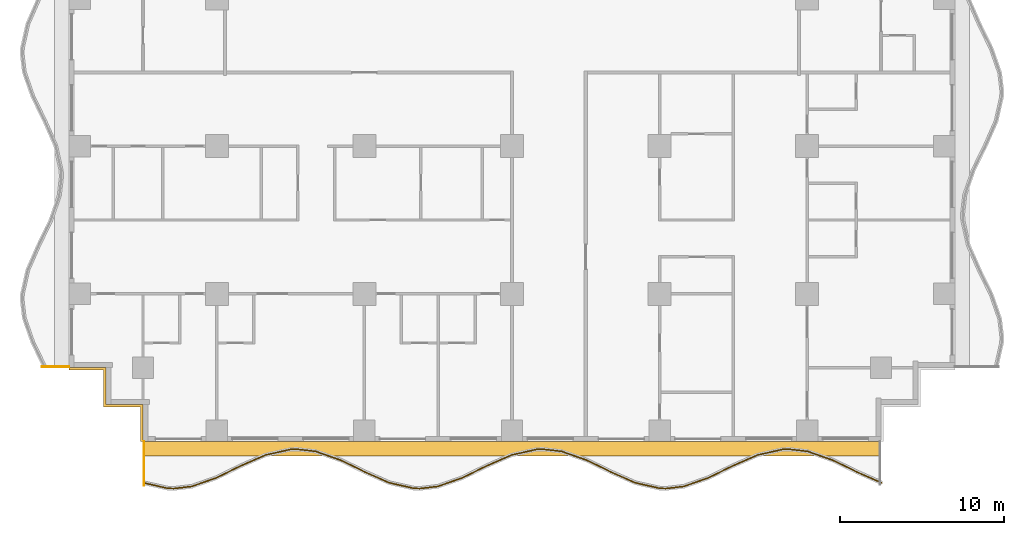
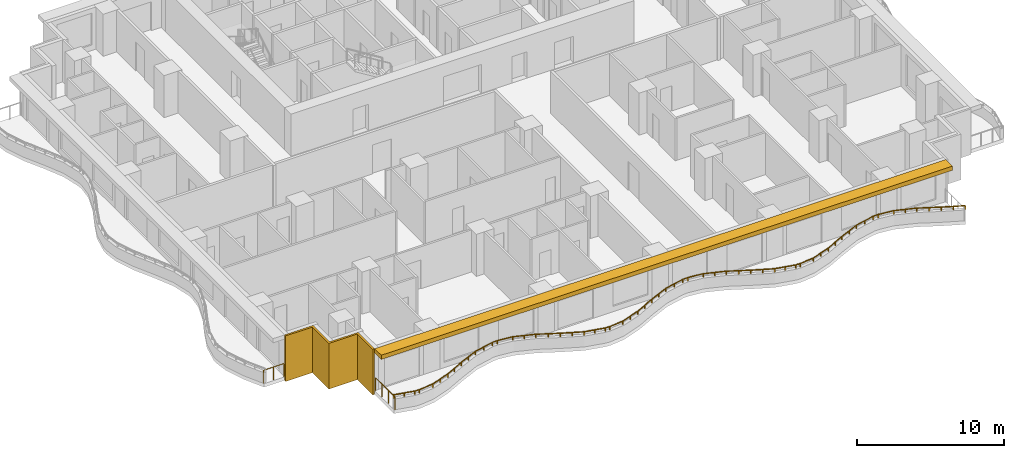
# One storey, part 8 of 14: 3 railings, 2 shading devices.
"""IFC4 building model written with IfcOpenShell, lengths in metres."""

import ifcopenshell
import ifcopenshell.guid

model = None  # the IFC model being written
_history = None  # IfcOwnerHistory: only IFC2X3 demands one
_inside = {}  # id of a spatial element -> (the spatial element, [elements in it])
_under = {}  # id of a project, library or spatial element -> (it, [spatial elements below it])
_declared = {}  # id of a project -> (the project, [libraries it declares])
_typed = {}  # id of a type object -> (the type object, [elements of that type])
_made_of = {}  # id of a material, layer set ... -> (it, [elements and type objects made of it])


def new_model(schema):
    """Start an empty IFC model of exactly this schema.

    Asked for "IFC4X3", IfcOpenShell would pick the latest addendum, in which some entities
    have other attributes; the version numbers below select the first issue.
    IFC2X3 requires an IfcOwnerHistory on every rooted entity: one is made here for all.
    """
    global model, _history
    if schema == "IFC4X3":
        model = ifcopenshell.file(schema_version=(4, 3, 0, 0))
    else:
        model = ifcopenshell.file(schema=schema)
    _inside.clear()
    _under.clear()
    _declared.clear()
    _typed.clear()
    _made_of.clear()
    _history = None
    if model.schema == "IFC2X3":
        org = make("IfcOrganization", Name="unknown")
        user = make(
            "IfcPersonAndOrganization",
            ThePerson=make("IfcPerson", FamilyName="unknown"),
            TheOrganization=org,
        )
        app = make(
            "IfcApplication",
            ApplicationDeveloper=org,
            Version="unknown",
            ApplicationFullName="unknown",
            ApplicationIdentifier="unknown",
        )
        _history = make(
            "IfcOwnerHistory",
            OwningUser=user,
            OwningApplication=app,
            ChangeAction="ADDED",
            CreationDate=0,
        )
    return model


def make(cls, **values):
    """One entity of the class cls with the attributes given. An attribute that is None is left unset."""
    return model.create_entity(
        cls, **{name: value for name, value in values.items() if value is not None}
    )


def rooted(cls, **values):
    """An entity with a GlobalId (a new one), such as an element, a storey or a relation."""
    return make(cls, GlobalId=ifcopenshell.guid.new(), OwnerHistory=_history, **values)


def si_unit(unit_type, name, prefix=None):
    """IfcSIUnit, for example si_unit("LENGTHUNIT", "METRE", prefix="MILLI")."""
    return make("IfcSIUnit", UnitType=unit_type, Prefix=prefix, Name=name)


def assignment(units):
    """IfcUnitAssignment: the units of a project."""
    return None if units is None else make("IfcUnitAssignment", Units=units)


def point(xyz):
    """IfcCartesianPoint."""
    return None if xyz is None else make("IfcCartesianPoint", Coordinates=xyz)


def direction(xyz):
    """IfcDirection."""
    return None if xyz is None else make("IfcDirection", DirectionRatios=xyz)


def frame(location, z_axis=None, x_axis=None):
    """IfcAxis2Placement3D, a coordinate frame: its origin and axes. An axis left out is left unset."""
    return make(
        "IfcAxis2Placement3D",
        Location=point(location),
        Axis=direction(z_axis),
        RefDirection=direction(x_axis),
    )


def frame_2d(location, x_axis=None):
    """IfcAxis2Placement2D, a coordinate frame in the plane: its origin and x axis."""
    return make(
        "IfcAxis2Placement2D", Location=point(location), RefDirection=direction(x_axis)
    )


def origin():
    """The frame at (0, 0, 0) with its axes left unset."""
    return frame((0.0, 0.0, 0.0))


def origin_2d():
    """The frame at (0, 0) in the plane with its x axis left unset."""
    return frame_2d((0.0, 0.0))


def place(relative_to, where):
    """IfcLocalPlacement: puts the frame where relative to a parent placement (None: the world)."""
    return make(
        "IfcLocalPlacement", PlacementRelTo=relative_to, RelativePlacement=where
    )


def context(
    kind, dimensions, precision=None, world=None, true_north=None, identifier=None
):
    """IfcGeometricRepresentationContext, for example the 3D "Model" context."""
    return make(
        "IfcGeometricRepresentationContext",
        ContextIdentifier=identifier,
        ContextType=kind,
        CoordinateSpaceDimension=dimensions,
        Precision=precision,
        WorldCoordinateSystem=world,
        TrueNorth=true_north,
    )


def subcontext(parent, identifier, kind, view, scale=None):
    """IfcGeometricRepresentationSubContext, for example "Body" below "Model"."""
    return make(
        "IfcGeometricRepresentationSubContext",
        ContextIdentifier=identifier,
        ContextType=kind,
        ParentContext=parent,
        TargetScale=scale,
        TargetView=view,
    )


def project(units=None, contexts=None):
    """IfcProject with its units and contexts."""
    return rooted(
        "IfcProject",
        Name="project",
        RepresentationContexts=contexts,
        UnitsInContext=assignment(units),
    )


def spatial(cls, under=None, at=None, **own):
    """A site, building, storey or space (cls), placed at a placement, below another one or the project."""
    s = rooted(cls, ObjectPlacement=at, **own)
    if under is not None:
        _under.setdefault(under.id(), (under, []))[1].append(s)
    return s


def polyline(points):
    """IfcPolyline through the points."""
    return make("IfcPolyline", Points=[point(p) for p in points])


def profile(cls, at=None, kind="AREA", **sizes):
    """A parametric profile (cls). Its sizes go by their IFC names, for example OverallWidth=200.0."""
    return make(cls, ProfileType=kind, Position=at, **sizes)


def rectangle(**sizes):
    """IfcRectangleProfileDef."""
    return profile("IfcRectangleProfileDef", **sizes)


def outline(outer, holes=None, kind="AREA"):
    """IfcArbitraryClosedProfileDef: a profile drawn as a closed curve; with holes, ...WithVoids."""
    if holes is None:
        return make("IfcArbitraryClosedProfileDef", ProfileType=kind, OuterCurve=outer)
    return make(
        "IfcArbitraryProfileDefWithVoids",
        ProfileType=kind,
        OuterCurve=outer,
        InnerCurves=holes,
    )


def extrude(swept, where, along, depth):
    """IfcExtrudedAreaSolid: the profile swept, set in the frame where, extruded along a direction by depth."""
    return make(
        "IfcExtrudedAreaSolid",
        SweptArea=swept,
        Position=where,
        ExtrudedDirection=direction(along),
        Depth=depth,
    )


def shape(context_of_items, identifier, shape_type, items):
    """IfcShapeRepresentation: the items that make up one representation, for example the "Body"."""
    return make(
        "IfcShapeRepresentation",
        ContextOfItems=context_of_items,
        RepresentationIdentifier=identifier,
        RepresentationType=shape_type,
        Items=items,
    )


def material(Name=None, Category=None):
    """IfcMaterial."""
    return make("IfcMaterial", Name=Name, Category=Category)


def layer(
    of_material, thickness, ventilated=None, Name=None, Category=None, Priority=None
):
    """IfcMaterialLayer: one layer of a wall or slab, of a material (None: an air gap)."""
    return make(
        "IfcMaterialLayer",
        Material=of_material,
        LayerThickness=thickness,
        IsVentilated=ventilated,
        Name=Name,
        Category=Category,
        Priority=Priority,
    )


def layer_set(layers, Name=None):
    """IfcMaterialLayerSet."""
    return make("IfcMaterialLayerSet", MaterialLayers=layers, LayerSetName=Name)


def made_of(thing, what):
    """Note that an element or type object is made of a material, layer set ...; save() writes the relation."""
    if what is not None:
        _made_of.setdefault(what.id(), (what, []))[1].append(thing)
    return thing


def type_object(cls, material=None, **own):
    """A type object (cls), such as IfcWallType, which elements share."""
    return made_of(rooted(cls, **own), material)


def element(
    cls,
    number,
    at=None,
    inside=None,
    cuts=None,
    type_object=None,
    material=None,
    context=None,
    identifier="Body",
    shape_type=None,
    held_by="IfcProductDefinitionShape",
    body=None,
    shapes=None,
    **own,
):
    """One element of the class cls, such as IfcWall. Its Tag is "e" and its number.

    at: its placement. inside: the storey or other place that contains it. cuts: it is an
    opening in that element (IfcRelVoidsElement). A single representation is given by context,
    identifier, shape_type and body (its items); several are given by shapes. held_by: the class
    of the entity that holds the representations. save() writes the other relations.
    """
    e = rooted(cls, Tag="e%d" % number, ObjectPlacement=at, **own)
    if body is not None:
        shapes = [shape(context, identifier, shape_type, body)]
    if shapes is not None:
        e.Representation = make(held_by, Representations=shapes)
    if inside is not None:
        _inside.setdefault(inside.id(), (inside, []))[1].append(e)
    if cuts is not None:
        rooted(
            "IfcRelVoidsElement", RelatingBuildingElement=cuts, RelatedOpeningElement=e
        )
    if type_object is not None:
        _typed.setdefault(type_object.id(), (type_object, []))[1].append(e)
    return made_of(e, material)


def aggregate(whole, parts):
    """IfcRelAggregates: a whole, such as a stair, and the parts it consists of."""
    return rooted("IfcRelAggregates", RelatingObject=whole, RelatedObjects=parts)


def save(model, path):
    """Write the relations noted so far, then the file.

    IfcRelAggregates (storeys below a building ...), IfcRelContainedInSpatialStructure (elements
    in a storey), IfcRelDefinesByType, IfcRelAssociatesMaterial and IfcRelDeclares: one each for
    every whole, place, type object, material and project.
    """
    for whole, parts in _under.values():
        aggregate(whole, parts)
    for where, things in _inside.values():
        rooted(
            "IfcRelContainedInSpatialStructure",
            RelatedElements=things,
            RelatingStructure=where,
        )
    for kind, things in _typed.values():
        rooted("IfcRelDefinesByType", RelatedObjects=things, RelatingType=kind)
    for what, things in _made_of.values():
        rooted("IfcRelAssociatesMaterial", RelatedObjects=things, RelatingMaterial=what)
    for by, libraries in _declared.values():
        rooted("IfcRelDeclares", RelatingContext=by, RelatedDefinitions=libraries)
    model.write(path)


model = new_model("IFC4")

# Units and contexts
model_context = context("Model", 3, precision=1e-05, world=origin(), true_north=direction((0.0, 1.0)))
body_context = subcontext(model_context, "Body", "Model", "MODEL_VIEW")
ifc_project = project(units=[si_unit("LENGTHUNIT", "METRE"), si_unit("AREAUNIT", "SQUARE_METRE"), si_unit("VOLUMEUNIT", "CUBIC_METRE"), si_unit("PLANEANGLEUNIT", "RADIAN"), si_unit("MASSUNIT", "GRAM", prefix="KILO")], contexts=[model_context])

# Site, building, storey
site_placement = place(None, origin())
site = spatial("IfcSite", under=ifc_project, at=site_placement, CompositionType="ELEMENT")
building_placement = place(site_placement, origin())
building = spatial("IfcBuilding", under=site, at=building_placement, Name="Orbiselva Terraces", CompositionType="ELEMENT")
storey_placement = place(building_placement, frame((0.0, 0.0, 80.8)))
storey = spatial("IfcBuildingStorey", under=building, at=storey_placement, Name="L20", CompositionType="ELEMENT", Elevation=80.8)

# Railings
ifc_material_1 = material(Name="Bonded two-ply safety glass balustrade, stainless steel posts", Category="steel")
railing_type_1 = type_object("IfcRailingType", Name="ENV-BALUSTRADE-1200", PredefinedType="BALUSTRADE", material=ifc_material_1)
railing_1_placement = place(storey_placement, frame((-22.472623, -25.026563, 0.9)))
element("IfcRailing", 1, at=railing_1_placement, inside=storey, type_object=railing_type_1, Name="Balcony balustrade L20 S", PredefinedType="BALUSTRADE", context=body_context, shape_type="SweptSolid", body=[
    extrude(outline(polyline([(0.028868, 0.0), (0.014434, 0.025), (-0.014434, 0.025), (-0.028868, 0.0), (-0.014434, -0.025), (0.014434, -0.025), (0.028868, 0.0)])), frame((0.0, 0.0, 0.275), z_axis=(0.975721322437, -0.21901575501, 0.0), x_axis=(0.21901575501, 0.975721322437, 0.0)), (0.0, 0.0, 1.0), 1.525954),
    extrude(outline(polyline([(0.028868, 0.0), (0.014434, 0.025), (-0.014434, 0.025), (-0.028868, 0.0), (-0.014434, -0.025), (0.014434, -0.025), (0.028868, 0.0)])), frame((1.488906, -0.334208, 0.275), z_axis=(0.999224931454, -0.039364150694, 0.0), x_axis=(0.039364150694, 0.999224931454, 0.0)), (0.0, 0.0, 1.0), 0.354206),
    extrude(outline(polyline([(0.028868, 0.0), (0.014434, 0.025), (-0.014434, 0.025), (-0.028868, 0.0), (-0.014434, -0.025), (0.014434, -0.025), (0.028868, 0.0)])), frame((1.842837, -0.348151, 0.275), z_axis=(0.993309658409, 0.115481264762, 0.0), x_axis=(-0.115481264762, 0.993309658409, 0.0)), (0.0, 0.0, 1.0), 1.10902),
    extrude(outline(polyline([(0.028868, 0.0), (0.014434, 0.025), (-0.014434, 0.025), (-0.028868, 0.0), (-0.014434, -0.025), (0.014434, -0.025), (0.028868, 0.0)])), frame((2.944437, -0.22008, 0.275), z_axis=(0.943972277814, 0.330024754707, 0.0), x_axis=(-0.330024754707, 0.943972277814, 0.0)), (0.0, 0.0, 1.0), 1.567807),
    extrude(outline(polyline([(0.028868, 0.0), (0.014434, 0.025), (-0.014434, 0.025), (-0.028868, 0.0), (-0.014434, -0.025), (0.014434, -0.025), (0.028868, 0.0)])), frame((4.424403, 0.297335, 0.275), z_axis=(0.89857890432, 0.438811978768, 0.0), x_axis=(-0.438811978768, 0.89857890432, 0.0)), (0.0, 0.0, 1.0), 1.66438),
    extrude(outline(polyline([(0.028868, 0.0), (0.014434, 0.025), (-0.014434, 0.025), (-0.028868, 0.0), (-0.014434, -0.025), (0.014434, -0.025), (0.028868, 0.0)])), frame((5.91998, 1.027685, 0.275), z_axis=(0.915133527237, 0.403150874148, 0.0), x_axis=(-0.403150874148, 0.915133527237, 0.0)), (0.0, 0.0, 1.0), 1.653736),
    extrude(outline(polyline([(0.028868, 0.0), (0.014434, 0.025), (-0.014434, 0.025), (-0.028868, 0.0), (-0.014434, -0.025), (0.014434, -0.025), (0.028868, 0.0)])), frame((7.433369, 1.69439, 0.275), z_axis=(0.97572137947, 0.219015500924, 0.0), x_axis=(-0.219015500924, 0.97572137947, 0.0)), (0.0, 0.0, 1.0), 1.560867),
    extrude(outline(polyline([(0.028868, 0.0), (0.014434, 0.025), (-0.014434, 0.025), (-0.028868, 0.0), (-0.014434, -0.025), (0.014434, -0.025), (0.028868, 0.0)])), frame((8.95634, 2.036244, 0.275), z_axis=(0.999224734286, 0.03936915532, 0.0), x_axis=(-0.03936915532, 0.999224734286, 0.0)), (0.0, 0.0, 1.0), 0.396376),
    extrude(outline(polyline([(0.028868, 0.0), (0.014434, 0.025), (-0.014434, 0.025), (-0.028868, 0.0), (-0.014434, -0.025), (0.014434, -0.025), (0.028868, 0.0)])), frame((9.352409, 2.051849, 0.275), z_axis=(0.993309551734, -0.115482182324, 0.0), x_axis=(0.115482182324, 0.993309551734, 0.0)), (0.0, 0.0, 1.0), 1.156135),
    extrude(outline(polyline([(0.028868, 0.0), (0.014434, 0.025), (-0.014434, 0.025), (-0.028868, 0.0), (-0.014434, -0.025), (0.014434, -0.025), (0.028868, 0.0)])), frame((10.500809, 1.918336, 0.275), z_axis=(0.943972332783, -0.330024597479, 0.0), x_axis=(0.330024597479, 0.943972332783, 0.0)), (0.0, 0.0, 1.0), 1.610253),
    extrude(outline(polyline([(0.028868, 0.0), (0.014434, 0.025), (-0.014434, 0.025), (-0.028868, 0.0), (-0.014434, -0.025), (0.014434, -0.025), (0.028868, 0.0)])), frame((12.020843, 1.386913, 0.275), z_axis=(0.898578870221, -0.438812048596, 0.0), x_axis=(0.438812048596, 0.898578870221, 0.0)), (0.0, 0.0, 1.0), 1.674225),
    extrude(outline(polyline([(0.028868, 0.0), (0.014434, 0.025), (-0.014434, 0.025), (-0.028868, 0.0), (-0.014434, -0.025), (0.014434, -0.025), (0.028868, 0.0)])), frame((13.525266, 0.652243, 0.275), z_axis=(0.915133363686, -0.403151245402, 0.0), x_axis=(0.403151245402, 0.915133363686, 0.0)), (0.0, 0.0, 1.0), 1.624475),
    extrude(outline(polyline([(0.028868, 0.0), (0.014434, 0.025), (-0.014434, 0.025), (-0.028868, 0.0), (-0.014434, -0.025), (0.014434, -0.025), (0.028868, 0.0)])), frame((15.011877, -0.002666, 0.275), z_axis=(0.975721325753, -0.219015740235, 0.0), x_axis=(0.219015740235, 0.975721325753, 0.0)), (0.0, 0.0, 1.0), 1.513782),
    extrude(outline(polyline([(0.028868, 0.0), (0.014434, 0.025), (-0.014434, 0.025), (-0.028868, 0.0), (-0.014434, -0.025), (0.014434, -0.025), (0.028868, 0.0)])), frame((16.488906, -0.334208, 0.275), z_axis=(0.999224931454, -0.039364150694, 0.0), x_axis=(0.039364150694, 0.999224931454, 0.0)), (0.0, 0.0, 1.0), 0.354206),
    extrude(outline(polyline([(0.028868, 0.0), (0.014434, 0.025), (-0.014434, 0.025), (-0.028868, 0.0), (-0.014434, -0.025), (0.014434, -0.025), (0.028868, 0.0)])), frame((16.842837, -0.348151, 0.275), z_axis=(0.993309658409, 0.115481264762, 0.0), x_axis=(-0.115481264762, 0.993309658409, 0.0)), (0.0, 0.0, 1.0), 1.10902),
    extrude(outline(polyline([(0.028868, 0.0), (0.014434, 0.025), (-0.014434, 0.025), (-0.028868, 0.0), (-0.014434, -0.025), (0.014434, -0.025), (0.028868, 0.0)])), frame((17.944437, -0.22008, 0.275), z_axis=(0.943972277814, 0.330024754707, 0.0), x_axis=(-0.330024754707, 0.943972277814, 0.0)), (0.0, 0.0, 1.0), 1.567807),
    extrude(outline(polyline([(0.028868, 0.0), (0.014434, 0.025), (-0.014434, 0.025), (-0.028868, 0.0), (-0.014434, -0.025), (0.014434, -0.025), (0.028868, 0.0)])), frame((19.424403, 0.297335, 0.275), z_axis=(0.89857890432, 0.438811978768, 0.0), x_axis=(-0.438811978768, 0.89857890432, 0.0)), (0.0, 0.0, 1.0), 1.66438),
    extrude(outline(polyline([(0.028868, 0.0), (0.014434, 0.025), (-0.014434, 0.025), (-0.028868, 0.0), (-0.014434, -0.025), (0.014434, -0.025), (0.028868, 0.0)])), frame((20.91998, 1.027685, 0.275), z_axis=(0.915133527237, 0.403150874148, 0.0), x_axis=(-0.403150874148, 0.915133527237, 0.0)), (0.0, 0.0, 1.0), 1.653736),
    extrude(outline(polyline([(0.028868, 0.0), (0.014434, 0.025), (-0.014434, 0.025), (-0.028868, 0.0), (-0.014434, -0.025), (0.014434, -0.025), (0.028868, 0.0)])), frame((22.433369, 1.69439, 0.275), z_axis=(0.97572137947, 0.219015500924, 0.0), x_axis=(-0.219015500924, 0.97572137947, 0.0)), (0.0, 0.0, 1.0), 1.560867),
    extrude(outline(polyline([(0.028868, 0.0), (0.014434, 0.025), (-0.014434, 0.025), (-0.028868, 0.0), (-0.014434, -0.025), (0.014434, -0.025), (0.028868, 0.0)])), frame((23.95634, 2.036244, 0.275), z_axis=(0.999224734286, 0.03936915532, 0.0), x_axis=(-0.03936915532, 0.999224734286, 0.0)), (0.0, 0.0, 1.0), 0.396376),
    extrude(outline(polyline([(0.028868, 0.0), (0.014434, 0.025), (-0.014434, 0.025), (-0.028868, 0.0), (-0.014434, -0.025), (0.014434, -0.025), (0.028868, 0.0)])), frame((24.352409, 2.051849, 0.275), z_axis=(0.993309551734, -0.115482182324, 0.0), x_axis=(0.115482182324, 0.993309551734, 0.0)), (0.0, 0.0, 1.0), 1.156135),
    extrude(outline(polyline([(0.028868, 0.0), (0.014434, 0.025), (-0.014434, 0.025), (-0.028868, 0.0), (-0.014434, -0.025), (0.014434, -0.025), (0.028868, 0.0)])), frame((25.500809, 1.918336, 0.275), z_axis=(0.943972332783, -0.330024597479, 0.0), x_axis=(0.330024597479, 0.943972332783, 0.0)), (0.0, 0.0, 1.0), 1.610253),
    extrude(outline(polyline([(0.028868, 0.0), (0.014434, 0.025), (-0.014434, 0.025), (-0.028868, 0.0), (-0.014434, -0.025), (0.014434, -0.025), (0.028868, 0.0)])), frame((27.020843, 1.386913, 0.275), z_axis=(0.898578870221, -0.438812048596, 0.0), x_axis=(0.438812048596, 0.898578870221, 0.0)), (0.0, 0.0, 1.0), 1.674225),
    extrude(outline(polyline([(0.028868, 0.0), (0.014434, 0.025), (-0.014434, 0.025), (-0.028868, 0.0), (-0.014434, -0.025), (0.014434, -0.025), (0.028868, 0.0)])), frame((28.525266, 0.652243, 0.275), z_axis=(0.915133363686, -0.403151245402, 0.0), x_axis=(0.403151245402, 0.915133363686, 0.0)), (0.0, 0.0, 1.0), 1.624475),
    extrude(outline(polyline([(0.028868, 0.0), (0.014434, 0.025), (-0.014434, 0.025), (-0.028868, 0.0), (-0.014434, -0.025), (0.014434, -0.025), (0.028868, 0.0)])), frame((30.011877, -0.002666, 0.275), z_axis=(0.975721325753, -0.219015740235, 0.0), x_axis=(0.219015740235, 0.975721325753, 0.0)), (0.0, 0.0, 1.0), 1.513782),
    extrude(outline(polyline([(0.028868, 0.0), (0.014434, 0.025), (-0.014434, 0.025), (-0.028868, 0.0), (-0.014434, -0.025), (0.014434, -0.025), (0.028868, 0.0)])), frame((31.488906, -0.334208, 0.275), z_axis=(0.999224931454, -0.039364150694, 0.0), x_axis=(0.039364150694, 0.999224931454, 0.0)), (0.0, 0.0, 1.0), 0.354206),
    extrude(outline(polyline([(0.028868, 0.0), (0.014434, 0.025), (-0.014434, 0.025), (-0.028868, 0.0), (-0.014434, -0.025), (0.014434, -0.025), (0.028868, 0.0)])), frame((31.842837, -0.348151, 0.275), z_axis=(0.993309658409, 0.115481264762, 0.0), x_axis=(-0.115481264762, 0.993309658409, 0.0)), (0.0, 0.0, 1.0), 1.10902),
    extrude(outline(polyline([(0.028868, 0.0), (0.014434, 0.025), (-0.014434, 0.025), (-0.028868, 0.0), (-0.014434, -0.025), (0.014434, -0.025), (0.028868, 0.0)])), frame((32.944437, -0.22008, 0.275), z_axis=(0.943972277814, 0.330024754707, 0.0), x_axis=(-0.330024754707, 0.943972277814, 0.0)), (0.0, 0.0, 1.0), 1.567807),
    extrude(outline(polyline([(0.028868, 0.0), (0.014434, 0.025), (-0.014434, 0.025), (-0.028868, 0.0), (-0.014434, -0.025), (0.014434, -0.025), (0.028868, 0.0)])), frame((34.424403, 0.297335, 0.275), z_axis=(0.89857890432, 0.438811978768, 0.0), x_axis=(-0.438811978768, 0.89857890432, 0.0)), (0.0, 0.0, 1.0), 1.66438),
    extrude(outline(polyline([(0.028868, 0.0), (0.014434, 0.025), (-0.014434, 0.025), (-0.028868, 0.0), (-0.014434, -0.025), (0.014434, -0.025), (0.028868, 0.0)])), frame((35.91998, 1.027685, 0.275), z_axis=(0.915133527237, 0.403150874148, 0.0), x_axis=(-0.403150874148, 0.915133527237, 0.0)), (0.0, 0.0, 1.0), 1.653736),
    extrude(outline(polyline([(0.028868, 0.0), (0.014434, 0.025), (-0.014434, 0.025), (-0.028868, 0.0), (-0.014434, -0.025), (0.014434, -0.025), (0.028868, 0.0)])), frame((37.433369, 1.69439, 0.275), z_axis=(0.97572137947, 0.219015500924, 0.0), x_axis=(-0.219015500924, 0.97572137947, 0.0)), (0.0, 0.0, 1.0), 1.560867),
    extrude(outline(polyline([(0.028868, 0.0), (0.014434, 0.025), (-0.014434, 0.025), (-0.028868, 0.0), (-0.014434, -0.025), (0.014434, -0.025), (0.028868, 0.0)])), frame((38.95634, 2.036244, 0.275), z_axis=(0.999224734286, 0.03936915532, 0.0), x_axis=(-0.03936915532, 0.999224734286, 0.0)), (0.0, 0.0, 1.0), 0.396376),
    extrude(outline(polyline([(0.028868, 0.0), (0.014434, 0.025), (-0.014434, 0.025), (-0.028868, 0.0), (-0.014434, -0.025), (0.014434, -0.025), (0.028868, 0.0)])), frame((39.352409, 2.051849, 0.275), z_axis=(0.993309551734, -0.115482182324, 0.0), x_axis=(0.115482182324, 0.993309551734, 0.0)), (0.0, 0.0, 1.0), 1.156135),
    extrude(outline(polyline([(0.028868, 0.0), (0.014434, 0.025), (-0.014434, 0.025), (-0.028868, 0.0), (-0.014434, -0.025), (0.014434, -0.025), (0.028868, 0.0)])), frame((40.500809, 1.918336, 0.275), z_axis=(0.943972332783, -0.330024597479, 0.0), x_axis=(0.330024597479, 0.943972332783, 0.0)), (0.0, 0.0, 1.0), 1.610253),
    extrude(outline(polyline([(0.028868, 0.0), (0.014434, 0.025), (-0.014434, 0.025), (-0.028868, 0.0), (-0.014434, -0.025), (0.014434, -0.025), (0.028868, 0.0)])), frame((42.020843, 1.386913, 0.275), z_axis=(0.898578870221, -0.438812048596, 0.0), x_axis=(0.438812048596, 0.898578870221, 0.0)), (0.0, 0.0, 1.0), 1.674225),
    extrude(outline(polyline([(0.028868, 0.0), (0.014434, 0.025), (-0.014434, 0.025), (-0.028868, 0.0), (-0.014434, -0.025), (0.014434, -0.025), (0.028868, 0.0)])), frame((43.525266, 0.652243, 0.275), z_axis=(0.915133498047, -0.403150940408, 0.0), x_axis=(0.403150940408, 0.915133498047, 0.0)), (0.0, 0.0, 1.0), 1.636648),
    extrude(rectangle(XDim=0.05, YDim=0.05, at=origin_2d()), origin(), (0.0, 0.0, 1.0), 0.25),
    extrude(rectangle(XDim=0.05, YDim=0.05, at=origin_2d()), frame((0.744453, -0.167104, 0.0)), (0.0, 0.0, 1.0), 0.25),
    extrude(rectangle(XDim=0.05, YDim=0.05, at=origin_2d()), frame((1.488906, -0.334208, 0.0)), (0.0, 0.0, 1.0), 0.25),
    extrude(rectangle(XDim=0.05, YDim=0.05, at=origin_2d()), frame((1.842837, -0.348151, 0.0)), (0.0, 0.0, 1.0), 0.25),
    extrude(rectangle(XDim=0.05, YDim=0.05, at=origin_2d()), frame((2.944437, -0.22008, 0.0)), (0.0, 0.0, 1.0), 0.25),
    extrude(rectangle(XDim=0.05, YDim=0.05, at=origin_2d()), frame((3.68442, 0.038628, 0.0)), (0.0, 0.0, 1.0), 0.25),
    extrude(rectangle(XDim=0.05, YDim=0.05, at=origin_2d()), frame((4.424403, 0.297335, 0.0)), (0.0, 0.0, 1.0), 0.25),
    extrude(rectangle(XDim=0.05, YDim=0.05, at=origin_2d()), frame((5.172191, 0.66251, 0.0)), (0.0, 0.0, 1.0), 0.25),
    extrude(rectangle(XDim=0.05, YDim=0.05, at=origin_2d()), frame((5.91998, 1.027685, 0.0)), (0.0, 0.0, 1.0), 0.25),
    extrude(rectangle(XDim=0.05, YDim=0.05, at=origin_2d()), frame((6.676674, 1.361037, 0.0)), (0.0, 0.0, 1.0), 0.25),
    extrude(rectangle(XDim=0.05, YDim=0.05, at=origin_2d()), frame((7.433369, 1.69439, 0.0)), (0.0, 0.0, 1.0), 0.25),
    extrude(rectangle(XDim=0.05, YDim=0.05, at=origin_2d()), frame((8.194854, 1.865317, 0.0)), (0.0, 0.0, 1.0), 0.25),
    extrude(rectangle(XDim=0.05, YDim=0.05, at=origin_2d()), frame((8.95634, 2.036244, 0.0)), (0.0, 0.0, 1.0), 0.25),
    extrude(rectangle(XDim=0.05, YDim=0.05, at=origin_2d()), frame((9.352409, 2.051849, 0.0)), (0.0, 0.0, 1.0), 0.25),
    extrude(rectangle(XDim=0.05, YDim=0.05, at=origin_2d()), frame((10.500809, 1.918336, 0.0)), (0.0, 0.0, 1.0), 0.25),
    extrude(rectangle(XDim=0.05, YDim=0.05, at=origin_2d()), frame((11.260826, 1.652624, 0.0)), (0.0, 0.0, 1.0), 0.25),
    extrude(rectangle(XDim=0.05, YDim=0.05, at=origin_2d()), frame((12.020843, 1.386913, 0.0)), (0.0, 0.0, 1.0), 0.25),
    extrude(rectangle(XDim=0.05, YDim=0.05, at=origin_2d()), frame((12.773054, 1.019578, 0.0)), (0.0, 0.0, 1.0), 0.25),
    extrude(rectangle(XDim=0.05, YDim=0.05, at=origin_2d()), frame((13.525266, 0.652243, 0.0)), (0.0, 0.0, 1.0), 0.25),
    extrude(rectangle(XDim=0.05, YDim=0.05, at=origin_2d()), frame((14.268571, 0.324788, 0.0)), (0.0, 0.0, 1.0), 0.25),
    extrude(rectangle(XDim=0.05, YDim=0.05, at=origin_2d()), frame((15.011877, -0.002666, 0.0)), (0.0, 0.0, 1.0), 0.25),
    extrude(rectangle(XDim=0.05, YDim=0.05, at=origin_2d()), frame((15.750392, -0.168437, 0.0)), (0.0, 0.0, 1.0), 0.25),
    extrude(rectangle(XDim=0.05, YDim=0.05, at=origin_2d()), frame((16.488906, -0.334208, 0.0)), (0.0, 0.0, 1.0), 0.25),
    extrude(rectangle(XDim=0.05, YDim=0.05, at=origin_2d()), frame((16.842837, -0.348151, 0.0)), (0.0, 0.0, 1.0), 0.25),
    extrude(rectangle(XDim=0.05, YDim=0.05, at=origin_2d()), frame((17.944437, -0.22008, 0.0)), (0.0, 0.0, 1.0), 0.25),
    extrude(rectangle(XDim=0.05, YDim=0.05, at=origin_2d()), frame((18.68442, 0.038628, 0.0)), (0.0, 0.0, 1.0), 0.25),
    extrude(rectangle(XDim=0.05, YDim=0.05, at=origin_2d()), frame((19.424403, 0.297335, 0.0)), (0.0, 0.0, 1.0), 0.25),
    extrude(rectangle(XDim=0.05, YDim=0.05, at=origin_2d()), frame((20.172191, 0.66251, 0.0)), (0.0, 0.0, 1.0), 0.25),
    extrude(rectangle(XDim=0.05, YDim=0.05, at=origin_2d()), frame((20.91998, 1.027685, 0.0)), (0.0, 0.0, 1.0), 0.25),
    extrude(rectangle(XDim=0.05, YDim=0.05, at=origin_2d()), frame((21.676674, 1.361037, 0.0)), (0.0, 0.0, 1.0), 0.25),
    extrude(rectangle(XDim=0.05, YDim=0.05, at=origin_2d()), frame((22.433369, 1.69439, 0.0)), (0.0, 0.0, 1.0), 0.25),
    extrude(rectangle(XDim=0.05, YDim=0.05, at=origin_2d()), frame((23.194854, 1.865317, 0.0)), (0.0, 0.0, 1.0), 0.25),
    extrude(rectangle(XDim=0.05, YDim=0.05, at=origin_2d()), frame((23.95634, 2.036244, 0.0)), (0.0, 0.0, 1.0), 0.25),
    extrude(rectangle(XDim=0.05, YDim=0.05, at=origin_2d()), frame((24.352409, 2.051849, 0.0)), (0.0, 0.0, 1.0), 0.25),
    extrude(rectangle(XDim=0.05, YDim=0.05, at=origin_2d()), frame((25.500809, 1.918336, 0.0)), (0.0, 0.0, 1.0), 0.25),
    extrude(rectangle(XDim=0.05, YDim=0.05, at=origin_2d()), frame((26.260826, 1.652624, 0.0)), (0.0, 0.0, 1.0), 0.25),
    extrude(rectangle(XDim=0.05, YDim=0.05, at=origin_2d()), frame((27.020843, 1.386913, 0.0)), (0.0, 0.0, 1.0), 0.25),
    extrude(rectangle(XDim=0.05, YDim=0.05, at=origin_2d()), frame((27.773054, 1.019578, 0.0)), (0.0, 0.0, 1.0), 0.25),
    extrude(rectangle(XDim=0.05, YDim=0.05, at=origin_2d()), frame((28.525266, 0.652243, 0.0)), (0.0, 0.0, 1.0), 0.25),
    extrude(rectangle(XDim=0.05, YDim=0.05, at=origin_2d()), frame((29.268572, 0.324788, 0.0)), (0.0, 0.0, 1.0), 0.25),
    extrude(rectangle(XDim=0.05, YDim=0.05, at=origin_2d()), frame((30.011877, -0.002666, 0.0)), (0.0, 0.0, 1.0), 0.25),
    extrude(rectangle(XDim=0.05, YDim=0.05, at=origin_2d()), frame((30.750392, -0.168437, 0.0)), (0.0, 0.0, 1.0), 0.25),
    extrude(rectangle(XDim=0.05, YDim=0.05, at=origin_2d()), frame((31.488906, -0.334208, 0.0)), (0.0, 0.0, 1.0), 0.25),
    extrude(rectangle(XDim=0.05, YDim=0.05, at=origin_2d()), frame((31.842837, -0.348151, 0.0)), (0.0, 0.0, 1.0), 0.25),
    extrude(rectangle(XDim=0.05, YDim=0.05, at=origin_2d()), frame((32.944437, -0.22008, 0.0)), (0.0, 0.0, 1.0), 0.25),
    extrude(rectangle(XDim=0.05, YDim=0.05, at=origin_2d()), frame((33.68442, 0.038628, 0.0)), (0.0, 0.0, 1.0), 0.25),
    extrude(rectangle(XDim=0.05, YDim=0.05, at=origin_2d()), frame((34.424403, 0.297335, 0.0)), (0.0, 0.0, 1.0), 0.25),
    extrude(rectangle(XDim=0.05, YDim=0.05, at=origin_2d()), frame((35.172192, 0.66251, 0.0)), (0.0, 0.0, 1.0), 0.25),
    extrude(rectangle(XDim=0.05, YDim=0.05, at=origin_2d()), frame((35.91998, 1.027685, 0.0)), (0.0, 0.0, 1.0), 0.25),
    extrude(rectangle(XDim=0.05, YDim=0.05, at=origin_2d()), frame((36.676674, 1.361037, 0.0)), (0.0, 0.0, 1.0), 0.25),
    extrude(rectangle(XDim=0.05, YDim=0.05, at=origin_2d()), frame((37.433369, 1.69439, 0.0)), (0.0, 0.0, 1.0), 0.25),
    extrude(rectangle(XDim=0.05, YDim=0.05, at=origin_2d()), frame((38.194854, 1.865317, 0.0)), (0.0, 0.0, 1.0), 0.25),
    extrude(rectangle(XDim=0.05, YDim=0.05, at=origin_2d()), frame((38.95634, 2.036244, 0.0)), (0.0, 0.0, 1.0), 0.25),
    extrude(rectangle(XDim=0.05, YDim=0.05, at=origin_2d()), frame((39.352409, 2.051849, 0.0)), (0.0, 0.0, 1.0), 0.25),
    extrude(rectangle(XDim=0.05, YDim=0.05, at=origin_2d()), frame((40.500809, 1.918336, 0.0)), (0.0, 0.0, 1.0), 0.25),
    extrude(rectangle(XDim=0.05, YDim=0.05, at=origin_2d()), frame((41.260826, 1.652624, 0.0)), (0.0, 0.0, 1.0), 0.25),
    extrude(rectangle(XDim=0.05, YDim=0.05, at=origin_2d()), frame((42.020843, 1.386913, 0.0)), (0.0, 0.0, 1.0), 0.25),
    extrude(rectangle(XDim=0.05, YDim=0.05, at=origin_2d()), frame((42.773054, 1.019578, 0.0)), (0.0, 0.0, 1.0), 0.25),
    extrude(rectangle(XDim=0.05, YDim=0.05, at=origin_2d()), frame((43.525266, 0.652243, 0.0)), (0.0, 0.0, 1.0), 0.25),
    extrude(rectangle(XDim=0.05, YDim=0.05, at=origin_2d()), frame((44.274142, 0.322335, 0.0)), (0.0, 0.0, 1.0), 0.25),
    extrude(rectangle(XDim=0.05, YDim=0.05, at=origin_2d()), frame((45.023017, -0.007573, 0.0)), (0.0, 0.0, 1.0), 0.25),
])
ifc_material_2 = material(Name="Stainless steel rail and posts", Category="steel")
railing_type_2 = type_object("IfcRailingType", Name="ENV-GUARD-1105", PredefinedType="BALUSTRADE", material=ifc_material_2)
railing_2_placement = place(storey_placement, frame((-22.44, -25.169584, 0.0)))
element("IfcRailing", 2, at=railing_2_placement, inside=storey, type_object=railing_type_2, Name="Balcony end guard L20 S", PredefinedType="BALUSTRADE", context=body_context, shape_type="SweptSolid", body=[
    extrude(outline(polyline([(0.028868, 0.0), (0.014434, 0.025), (-0.014434, 0.025), (-0.028868, 0.0), (-0.014434, -0.025), (0.014434, -0.025), (0.028868, 0.0)])), frame((0.0, 0.0, 1.08), z_axis=(0.0, 1.0, 0.0), x_axis=(-1.0, 0.0, 0.0)), (0.0, 0.0, 1.0), 2.644584),
    extrude(rectangle(XDim=0.05, YDim=0.05, at=origin_2d()), origin(), (0.0, 0.0, 1.0), 1.055),
    extrude(rectangle(XDim=0.05, YDim=0.05, at=origin_2d()), frame((0.0, 0.881528, 0.0)), (0.0, 0.0, 1.0), 1.055),
    extrude(rectangle(XDim=0.05, YDim=0.05, at=origin_2d()), frame((0.0, 1.763056, 0.0)), (0.0, 0.0, 1.0), 1.055),
    extrude(rectangle(XDim=0.05, YDim=0.05, at=origin_2d()), frame((0.0, 2.644584, 0.0)), (0.0, 0.0, 1.0), 1.055),
])
railing_3_placement = place(storey_placement, frame((-28.642123, -17.94, 0.0)))
element("IfcRailing", 3, at=railing_3_placement, inside=storey, type_object=railing_type_2, Name="Balcony end guard L20 W", PredefinedType="BALUSTRADE", context=body_context, shape_type="SweptSolid", body=[
    extrude(outline(polyline([(0.028868, 0.0), (0.014434, 0.025), (-0.014434, 0.025), (-0.028868, 0.0), (-0.014434, -0.025), (0.014434, -0.025), (0.028868, 0.0)])), frame((0.0, 0.0, 1.08), z_axis=(1.0, 0.0, 0.0), x_axis=(0.0, 1.0, 0.0)), (0.0, 0.0, 1.0), 1.617123),
    extrude(rectangle(XDim=0.05, YDim=0.05, at=origin_2d()), origin(), (0.0, 0.0, 1.0), 1.055),
    extrude(rectangle(XDim=0.05, YDim=0.05, at=origin_2d()), frame((0.808562, 0.0, 0.0)), (0.0, 0.0, 1.0), 1.055),
    extrude(rectangle(XDim=0.05, YDim=0.05, at=origin_2d()), frame((1.617123, 0.0, 0.0)), (0.0, 0.0, 1.0), 1.055),
])

# Shading devices
ifc_material_3 = material(Name="Terracotta louvre screen", Category="masonry")
ifc_layer_1 = layer(ifc_material_3, 0.15)
ifc_layer_set_1 = layer_set([ifc_layer_1], Name="Terracotta louvre screen")
shading_device_type_1 = type_object("IfcShadingDeviceType", Name="ENV-SCREEN-150", PredefinedType="USERDEFINED", material=ifc_layer_set_1)
shading_device_1_placement = place(storey_placement, frame((0.0, 0.0, -0.3)))
element("IfcShadingDevice", 4, at=shading_device_1_placement, inside=storey, type_object=shading_device_type_1, Name="Louvre screen L20 SW", ObjectType="SCREEN", PredefinedType="USERDEFINED", context=body_context, shape_type="SweptSolid", body=[
    extrude(outline(polyline([(-27.0, -18.15), (-24.9, -18.15), (-24.9, -20.4), (-22.65, -20.4), (-22.65, -22.5), (-22.5, -22.5), (-22.5, -20.25), (-24.75, -20.25), (-24.75, -18.0), (-27.0, -18.0), (-27.0, -18.15)])), origin(), (0.0, 0.0, 1.0), 3.8),
])
ifc_material_4 = material(Name="Terracotta baguette sunshade", Category="masonry")
ifc_layer_2 = layer(ifc_material_4, 0.35)
ifc_layer_set_2 = layer_set([ifc_layer_2], Name="Terracotta baguette sunshade")
shading_device_type_2 = type_object("IfcShadingDeviceType", Name="ENV-SUNSHADE-900x350", PredefinedType="USERDEFINED", material=ifc_layer_set_2)
shading_device_2_placement = place(storey_placement, frame((0.0, 0.0, 3.15)))
element("IfcShadingDevice", 5, at=shading_device_2_placement, inside=storey, type_object=shading_device_type_2, Name="Sunshade band L20 S", ObjectType="SUNSHADE", PredefinedType="USERDEFINED", context=body_context, shape_type="SweptSolid", body=[
    extrude(outline(polyline([(-22.5, -23.4), (22.5, -23.4), (22.5, -22.5), (-22.5, -22.5), (-22.5, -23.4)])), origin(), (0.0, 0.0, 1.0), 0.35),
])

save(model, "model.ifc")
